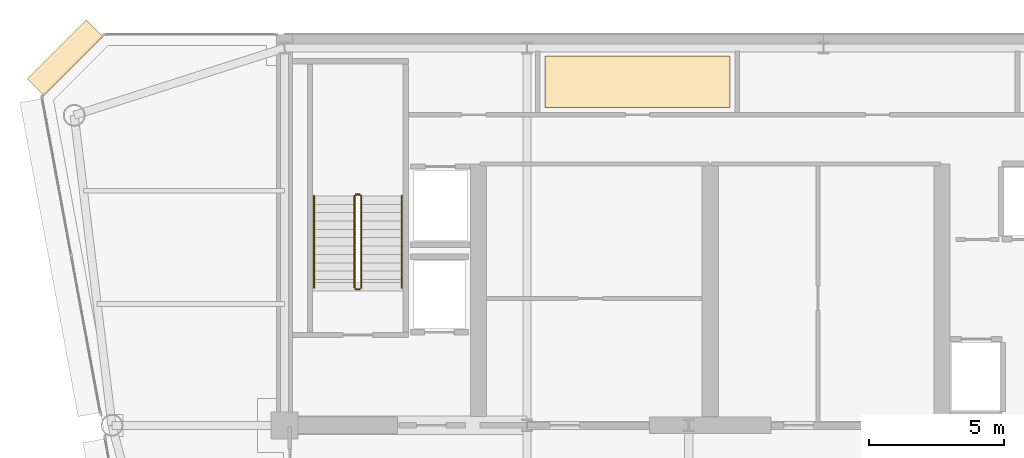
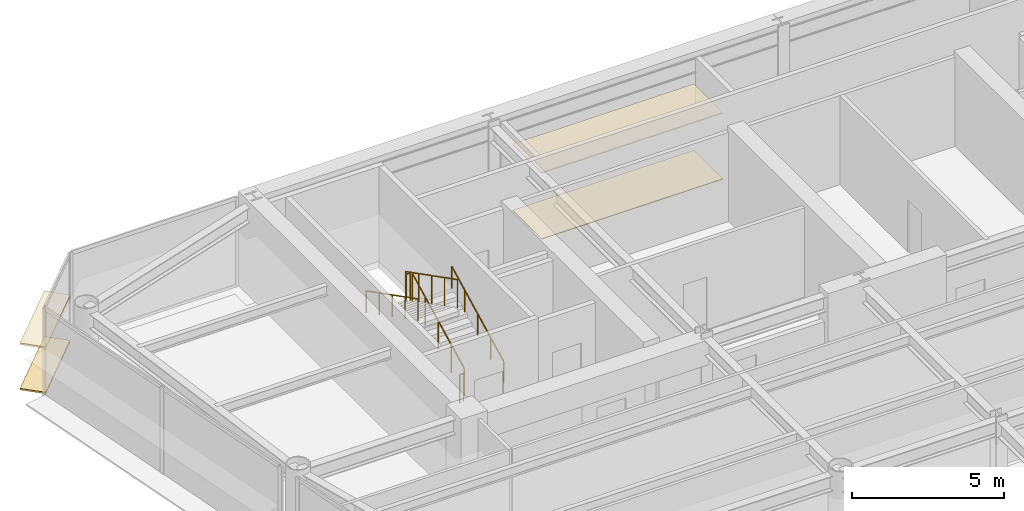
# One storey, part 14 of 16: 6 railings, 4 coverings.
"""IFC4 building model written with IfcOpenShell, lengths in metres."""

from ifc_helpers import new_model, si_unit, direction, frame, origin, origin_2d, place, context, subcontext, project, spatial, polyline, rectangle, circle, outline, extrude, source, transform, mapped, material, layer, layer_set, type_object, element, save


model = new_model("IFC4")

# Units and contexts
model_context = context("Model", 3, precision=1e-05, world=origin(), true_north=direction((0.0, 1.0)))
body_context = subcontext(model_context, "Body", "Model", "MODEL_VIEW")
ifc_project = project(units=[si_unit("LENGTHUNIT", "METRE"), si_unit("AREAUNIT", "SQUARE_METRE"), si_unit("VOLUMEUNIT", "CUBIC_METRE"), si_unit("PLANEANGLEUNIT", "RADIAN"), si_unit("MASSUNIT", "GRAM", prefix="KILO")], contexts=[model_context])

# Site, building, storey
site_placement = place(None, origin())
site = spatial("IfcSite", under=ifc_project, at=site_placement, CompositionType="ELEMENT")
building_placement = place(site_placement, origin())
building = spatial("IfcBuilding", under=site, at=building_placement, Name="Vaeldorn Concourse Tower", CompositionType="ELEMENT")
storey_placement = place(building_placement, frame((0.0, 0.0, 223.199951171875)))
storey = spatial("IfcBuildingStorey", under=building, at=storey_placement, Name="L57", CompositionType="ELEMENT", Elevation=223.199951171875)

# Coverings
ifc_material_1 = material(Name="Acoustic Mineral Fibre Board", Category="gypsum")
ifc_layer_1 = layer(ifc_material_1, 0.0400390625)
ifc_layer_set_1 = layer_set([ifc_layer_1], Name="Acoustic Mineral Fibre Board")
covering_type_1 = type_object("IfcCoveringType", Name="COV-CEIL-ACOUSTIC", PredefinedType="CEILING", material=ifc_layer_set_1)
covering_1_placement = place(storey_placement, frame((0.0, 0.0, 2.650146484375)))
element("IfcCovering", 1, at=covering_1_placement, inside=storey, type_object=covering_type_1, Name="Suspended Acoustic Ceiling L57-2", PredefinedType="CEILING", context=body_context, shape_type="SweptSolid", body=[
    extrude(outline(polyline([(30.5400390625, 50.199951171875), (30.5400390625, 48.300048828125), (23.659912109375, 48.300048828125), (23.659912109375, 50.199951171875), (30.5400390625, 50.199951171875)])), origin(), (0.0, 0.0, 1.0), 0.039794921875),
])
ifc_material_2 = material(Name="Honed Limestone Terrazzo Flooring", Category="masonry")
ifc_layer_2 = layer(ifc_material_2, 0.0400390625)
ifc_layer_set_2 = layer_set([ifc_layer_2], Name="Honed Limestone Terrazzo Flooring")
covering_type_2 = type_object("IfcCoveringType", Name="COV-FLOOR-STONE", PredefinedType="FLOORING", material=ifc_layer_set_2)
covering_2_placement = place(storey_placement, origin())
element("IfcCovering", 2, at=covering_2_placement, inside=storey, type_object=covering_type_2, Name="Floor Finish Covering L57-2", PredefinedType="FLOORING", context=body_context, shape_type="SweptSolid", body=[
    extrude(outline(polyline([(30.5400390625, 50.199951171875), (30.5400390625, 48.300048828125), (23.659912109375, 48.300048828125), (23.659912109375, 50.199951171875), (30.5400390625, 50.199951171875)])), origin(), (0.0, 0.0, 1.0), 0.030029296875),
])

# Railings
ifc_material_3 = material(Name="Anodised Bronze Aluminium", Category="aluminium")
railing_type_1 = type_object("IfcRailingType", Name="RL-STAIR-GUARD", PredefinedType="GUARDRAIL", material=ifc_material_3)
railing_1_placement = place(storey_placement, frame((16.85009765625, 41.60009765625, 0.158447265625)))
element("IfcRailing", 3, at=railing_1_placement, inside=storey, type_object=railing_type_1, Name="L57 ST-1 stair guard 1", PredefinedType="GUARDRAIL", context=body_context, shape_type="SweptSolid", body=[
    extrude(circle(Radius=0.02392578125, at=origin_2d()), frame((0.0, 0.0, 1.1259765625), z_axis=(0.0, 0.890555807335, 0.454873997962), x_axis=(-1.0, 0.0, 0.0)), (0.0, 0.0, 1.0), 3.828857421875),
    extrude(circle(Radius=0.02099609375, at=origin_2d()), origin(), (0.0, 0.0, 1.0), 1.101806640625),
    extrude(circle(Radius=0.02099609375, at=origin_2d()), frame((0.0, 0.8525390625, 0.435546875)), (0.0, 0.0, 1.0), 1.101806640625),
    extrude(circle(Radius=0.02099609375, at=origin_2d()), frame((0.0, 1.705078125, 0.870849609375)), (0.0, 0.0, 1.0), 1.101806640625),
    extrude(circle(Radius=0.02099609375, at=origin_2d()), frame((0.0, 2.557373046875, 1.30615234375)), (0.0, 0.0, 1.0), 1.101806640625),
    extrude(circle(Radius=0.02099609375, at=origin_2d()), frame((0.0, 3.409912109375, 1.74169921875)), (0.0, 0.0, 1.0), 1.101806640625),
])
railing_2_placement = place(storey_placement, frame((16.800048828125, 45.06005859375, 1.900146484375)))
element("IfcRailing", 4, at=railing_2_placement, inside=storey, type_object=railing_type_1, Name="L57 ST-1 stair guard 2", PredefinedType="GUARDRAIL", context=body_context, shape_type="SweptSolid", body=[
    extrude(circle(Radius=0.02392578125, at=origin_2d()), frame((0.0, 0.0, 1.1259765625), z_axis=(-1.0, 0.0, 0.0), x_axis=(0.0, -1.0, 0.0)), (0.0, 0.0, 1.0), 0.150146484375),
    extrude(circle(Radius=0.02099609375, at=origin_2d()), origin(), (0.0, 0.0, 1.0), 1.101806640625),
    extrude(circle(Radius=0.02099609375, at=origin_2d()), frame((-0.150146484375, 0.0, 0.0)), (0.0, 0.0, 1.0), 1.101806640625),
])
railing_3_placement = place(storey_placement, frame((16.60009765625, 45.010009765625, 2.058349609375)))
element("IfcRailing", 5, at=railing_3_placement, inside=storey, type_object=railing_type_1, Name="L57 ST-1 stair guard 3", PredefinedType="GUARDRAIL", context=body_context, shape_type="SweptSolid", body=[
    extrude(circle(Radius=0.02392578125, at=origin_2d()), frame((0.0, 0.0, 1.1259765625), z_axis=(0.0, -0.890555807335, 0.454873997962), x_axis=(1.0, 0.0, 0.0)), (0.0, 0.0, 1.0), 3.828857421875),
    extrude(circle(Radius=0.02099609375, at=origin_2d()), origin(), (0.0, 0.0, 1.0), 1.101806640625),
    extrude(circle(Radius=0.02099609375, at=origin_2d()), frame((0.0, -0.8525390625, 0.435546875)), (0.0, 0.0, 1.0), 1.101806640625),
    extrude(circle(Radius=0.02099609375, at=origin_2d()), frame((0.0, -1.705078125, 0.870849609375)), (0.0, 0.0, 1.0), 1.101806640625),
    extrude(circle(Radius=0.02099609375, at=origin_2d()), frame((0.0, -2.557373046875, 1.30615234375)), (0.0, 0.0, 1.0), 1.101806640625),
    extrude(circle(Radius=0.02099609375, at=origin_2d()), frame((0.0, -3.409912109375, 1.74169921875)), (0.0, 0.0, 1.0), 1.101806640625),
])
railing_4_placement = place(storey_placement, frame((16.800048828125, 41.550048828125, 0.0)))
element("IfcRailing", 6, at=railing_4_placement, inside=storey, type_object=railing_type_1, Name="L57 ST-1 stair guard 4", PredefinedType="GUARDRAIL", context=body_context, shape_type="SweptSolid", body=[
    extrude(circle(Radius=0.02392578125, at=origin_2d()), frame((0.0, 0.0, 1.1259765625), z_axis=(-1.0, 0.0, 0.0), x_axis=(0.0, -1.0, 0.0)), (0.0, 0.0, 1.0), 0.150146484375),
    extrude(circle(Radius=0.02099609375, at=origin_2d()), origin(), (0.0, 0.0, 1.0), 1.101806640625),
    extrude(circle(Radius=0.02099609375, at=origin_2d()), frame((-0.150146484375, 0.0, 0.0)), (0.0, 0.0, 1.0), 1.101806640625),
])
railing_type_2 = type_object("IfcRailingType", Name="RL-STAIR-HANDRAIL", PredefinedType="HANDRAIL", material=ifc_material_3)
railing_5_placement = place(storey_placement, frame((18.35009765625, 41.60009765625, 0.158447265625)))
element("IfcRailing", 7, at=railing_5_placement, inside=storey, type_object=railing_type_2, Name="L57 ST-1 stair handrail 1", PredefinedType="HANDRAIL", context=body_context, shape_type="SweptSolid", body=[
    extrude(circle(Radius=0.02392578125, at=origin_2d()), frame((0.0, 0.0, 0.8759765625), z_axis=(0.0, 0.890555807335, 0.454873997962), x_axis=(-1.0, 0.0, 0.0)), (0.0, 0.0, 1.0), 3.828857421875),
    extrude(circle(Radius=0.02099609375, at=origin_2d()), origin(), (0.0, 0.0, 1.0), 0.851806640625),
    extrude(circle(Radius=0.02099609375, at=origin_2d()), frame((0.0, 0.8525390625, 0.435546875)), (0.0, 0.0, 1.0), 0.851806640625),
    extrude(circle(Radius=0.02099609375, at=origin_2d()), frame((0.0, 1.705078125, 0.870849609375)), (0.0, 0.0, 1.0), 0.851806640625),
    extrude(circle(Radius=0.02099609375, at=origin_2d()), frame((0.0, 2.557373046875, 1.30615234375)), (0.0, 0.0, 1.0), 0.851806640625),
    extrude(circle(Radius=0.02099609375, at=origin_2d()), frame((0.0, 3.409912109375, 1.74169921875)), (0.0, 0.0, 1.0), 0.851806640625),
])
railing_6_placement = place(storey_placement, frame((15.10009765625, 45.010009765625, 2.058349609375)))
element("IfcRailing", 8, at=railing_6_placement, inside=storey, type_object=railing_type_2, Name="L57 ST-1 stair handrail 2", PredefinedType="HANDRAIL", context=body_context, shape_type="SweptSolid", body=[
    extrude(circle(Radius=0.02392578125, at=origin_2d()), frame((0.0, 0.0, 0.8759765625), z_axis=(0.0, -0.890555807335, 0.454873997962), x_axis=(1.0, 0.0, 0.0)), (0.0, 0.0, 1.0), 3.828857421875),
    extrude(circle(Radius=0.02099609375, at=origin_2d()), origin(), (0.0, 0.0, 1.0), 0.851806640625),
    extrude(circle(Radius=0.02099609375, at=origin_2d()), frame((0.0, -0.8525390625, 0.435546875)), (0.0, 0.0, 1.0), 0.851806640625),
    extrude(circle(Radius=0.02099609375, at=origin_2d()), frame((0.0, -1.705078125, 0.870849609375)), (0.0, 0.0, 1.0), 0.851806640625),
    extrude(circle(Radius=0.02099609375, at=origin_2d()), frame((0.0, -2.557373046875, 1.30615234375)), (0.0, 0.0, 1.0), 0.851806640625),
    extrude(circle(Radius=0.02099609375, at=origin_2d()), frame((0.0, -3.409912109375, 1.74169921875)), (0.0, 0.0, 1.0), 0.851806640625),
])

# Coverings
ifc_layer_3 = layer(ifc_material_3, 0.06494140625)
ifc_layer_set_3 = layer_set([ifc_layer_3], Name="Anodised Bronze Aluminium")
covering_type_3 = type_object("IfcCoveringType", Name="SD-BRONZE-SUNSHADE", PredefinedType="USERDEFINED", material=ifc_layer_set_3)
shared_shape = source(origin(), body_context, "Body", "SweptSolid", [
    extrude(rectangle(XDim=3.0927734375, YDim=0.8798828125, at=origin_2d()), origin(), (0.0, 0.0, 1.0), 0.06494140625),
])
for number, where, z_axis, x_axis, name in (
    (9, (5.8671875, 50.1328125, 0.047607421875), (0.0, 0.0, 1.0), (-0.707106781187, -0.707106781187, 0.0), "Horizontal Bronze Sunshade L57-E10.1.1"),
    (10, (5.8671875, 50.1328125, 1.86767578125), (0.0, 0.0, 1.0), (-0.707106781187, -0.707106781187, 0.0), "Horizontal Bronze Sunshade L57-E10.1.2"),
):
    element("IfcCovering", number, at=place(storey_placement, frame(where, z_axis=z_axis, x_axis=x_axis)), inside=storey, type_object=covering_type_3, Name=name, ObjectType="SUNSHADE", PredefinedType="USERDEFINED", context=body_context, shape_type="MappedRepresentation", body=[
        mapped(shared_shape, transform((0.0, 0.0, 0.0), scale=1.0)),
    ])

save(model, "model.ifc")
